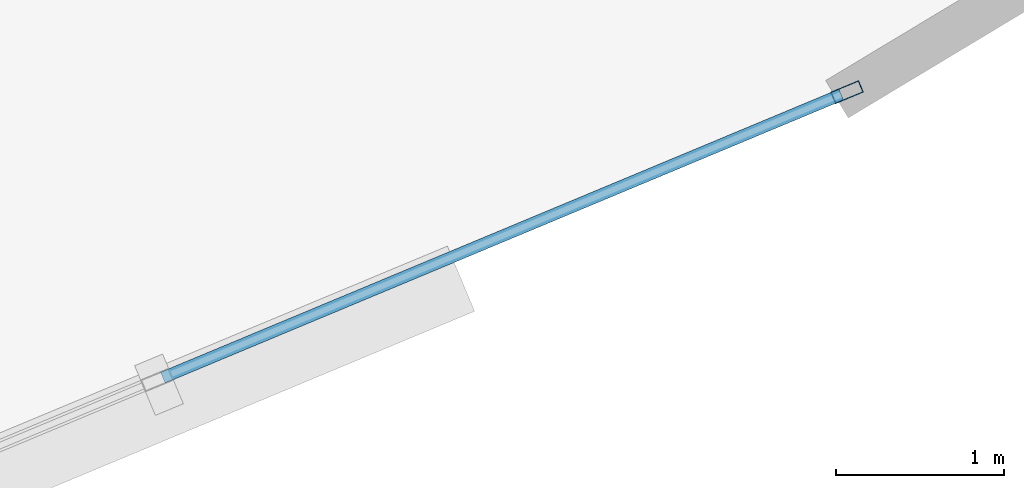
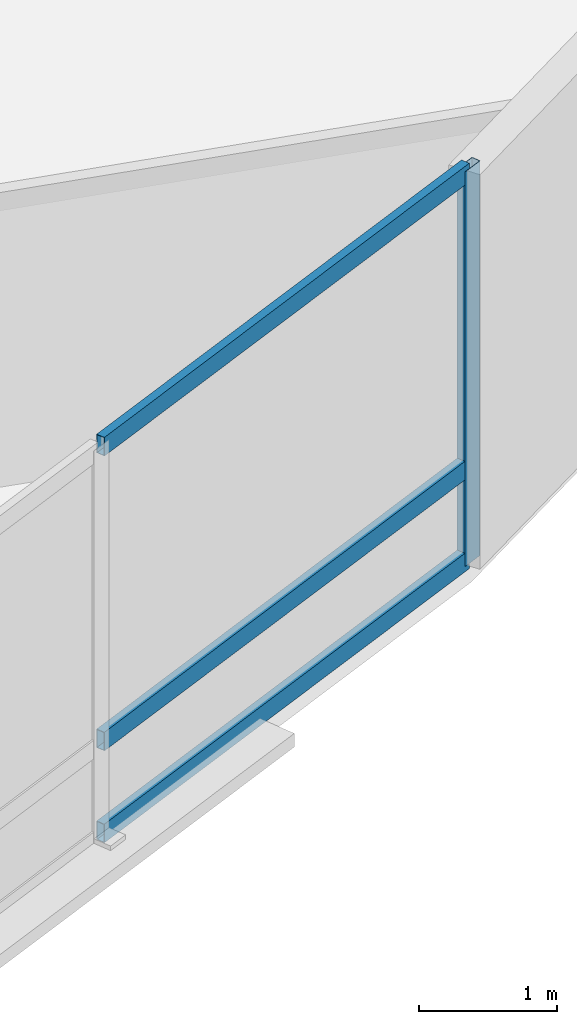
# One storey, part 10 of 18: 4 members, 1 element without a shape of its own.
"""IFC4 building model written with IfcOpenShell, lengths in metres."""

from ifc_helpers import new_model, si_unit, direction, frame, origin, origin_2d, place, context, subcontext, project, spatial, hollow_rectangle, extrude, material, layer, layer_set, material_profile, profile_set, type_object, element, aggregate, save


model = new_model("IFC4")

# Units and contexts
model_context = context("Model", 3, precision=1e-05, world=origin(), true_north=direction((0.0, 1.0)))
body_context = subcontext(model_context, "Body", "Model", "MODEL_VIEW")
ifc_project = project(units=[si_unit("LENGTHUNIT", "METRE"), si_unit("AREAUNIT", "SQUARE_METRE"), si_unit("VOLUMEUNIT", "CUBIC_METRE"), si_unit("PLANEANGLEUNIT", "RADIAN"), si_unit("MASSUNIT", "GRAM", prefix="KILO")], contexts=[model_context])

# Site, building, storey
site_placement = place(None, origin())
site = spatial("IfcSite", under=ifc_project, at=site_placement, CompositionType="ELEMENT")
building_placement = place(site_placement, origin())
building = spatial("IfcBuilding", under=site, at=building_placement, Name="Menara Vayukalpa", CompositionType="ELEMENT")
storey_placement = place(building_placement, frame((0.0, 0.0, 161.760009765625)))
storey = spatial("IfcBuildingStorey", under=building, at=storey_placement, Name="L40", CompositionType="ELEMENT", Elevation=161.760009765625)

# Curtain wall, members
ifc_material_1 = material(Name="Anodised Terracotta Aluminium Alloy 6063-T6", Category="masonry")
ifc_layer = layer(ifc_material_1, 0.179931640625)
ifc_layer_set = layer_set([ifc_layer], Name="Anodised Terracotta Aluminium Alloy 6063-T6")
curtain_wall_type = type_object("IfcCurtainWallType", Name="CW-CW4", PredefinedType="USERDEFINED", material=ifc_layer_set)
curtain_wall_placement = place(storey_placement, origin())
curtain_wall = element("IfcCurtainWall", 1, at=curtain_wall_placement, inside=storey, type_object=curtain_wall_type, Name="L40 Sky Bar Cantilever Glazed Curtain Wall CW4 17", ObjectType="UNITISED", PredefinedType="USERDEFINED")
ifc_material_2 = material(Name="Anodised Terracotta Aluminium Alloy 6063-T6", Category="masonry")
ifc_material_profile_1 = material_profile(ifc_material_2, hollow_rectangle(XDim=0.074951171875, YDim=0.179931640625, WallThickness=0.00390625, at=origin_2d()), Name="ALU 75x180x4")
ifc_profile_set_1 = profile_set([ifc_material_profile_1], Name="Anodised Terracotta Aluminium Alloy 6063-T6")
member_type_1 = type_object("IfcMemberType", Name="CWM-CW4", PredefinedType="MULLION", material=ifc_profile_set_1)
member_1_placement = place(storey_placement, frame((46.20068359375, 14.960205078125, 0.0), z_axis=(0.0, 0.0, 1.0), x_axis=(-0.385091352437, 0.922878459104, 0.0)))
member_1 = element("IfcMember", 2, at=member_1_placement, type_object=member_type_1, Name="CW4 mullion 3", PredefinedType="MULLION", context=body_context, shape_type="SweptSolid", body=[
    extrude(hollow_rectangle(XDim=0.074951171875, YDim=0.179931640625, WallThickness=0.00390625, at=origin_2d()), origin(), (0.0, 0.0, 1.0), 3.5),
])
ifc_material_3 = material(Name="Anodised Terracotta Aluminium Alloy 6063-T6", Category="masonry")
ifc_material_profile_2 = material_profile(ifc_material_3, hollow_rectangle(XDim=0.070068359375, YDim=0.1650390625, WallThickness=0.00390625, at=origin_2d()), Name="ALU 70x165x4")
ifc_profile_set_2 = profile_set([ifc_material_profile_2], Name="Anodised Terracotta Aluminium Alloy 6063-T6")
member_type_2 = type_object("IfcMemberType", Name="CWT-CW4", PredefinedType="USERDEFINED", material=ifc_profile_set_2)
member_2_placement = place(storey_placement, frame((42.133056640625, 13.262939453125, 0.034912109375), z_axis=(0.9228767989, 0.385095331123, 0.0), x_axis=(-0.385095331123, 0.9228767989, 0.0)))
member_2 = element("IfcMember", 3, at=member_2_placement, type_object=member_type_2, Name="CW4 transom 2.1", ObjectType="TRANSOM", PredefinedType="USERDEFINED", context=body_context, shape_type="SweptSolid", body=[
    extrude(hollow_rectangle(XDim=0.070068359375, YDim=0.1650390625, WallThickness=0.00390625, at=origin_2d()), origin(), (0.0, 0.0, 1.0), 4.369873046875),
])
member_3_placement = place(storey_placement, frame((42.133056640625, 13.262939453125, 0.85009765625), z_axis=(0.9228767989, 0.385095331123, 0.0), x_axis=(-0.385095331123, 0.9228767989, 0.0)))
member_3 = element("IfcMember", 4, at=member_3_placement, type_object=member_type_2, Name="CW4 transom 2.2", ObjectType="TRANSOM", PredefinedType="USERDEFINED", context=body_context, shape_type="SweptSolid", body=[
    extrude(hollow_rectangle(XDim=0.070068359375, YDim=0.1650390625, WallThickness=0.00390625, at=origin_2d()), origin(), (0.0, 0.0, 1.0), 4.369873046875),
])
member_4_placement = place(storey_placement, frame((42.133056640625, 13.262939453125, 3.465087890625), z_axis=(0.9228767989, 0.385095331123, 0.0), x_axis=(-0.385095331123, 0.9228767989, 0.0)))
member_4 = element("IfcMember", 5, at=member_4_placement, type_object=member_type_2, Name="CW4 transom 2.3", ObjectType="TRANSOM", PredefinedType="USERDEFINED", context=body_context, shape_type="SweptSolid", body=[
    extrude(hollow_rectangle(XDim=0.070068359375, YDim=0.1650390625, WallThickness=0.00390625, at=origin_2d()), origin(), (0.0, 0.0, 1.0), 4.369873046875),
])
aggregate(curtain_wall, [member_1, member_2, member_3, member_4])

save(model, "model.ifc")
